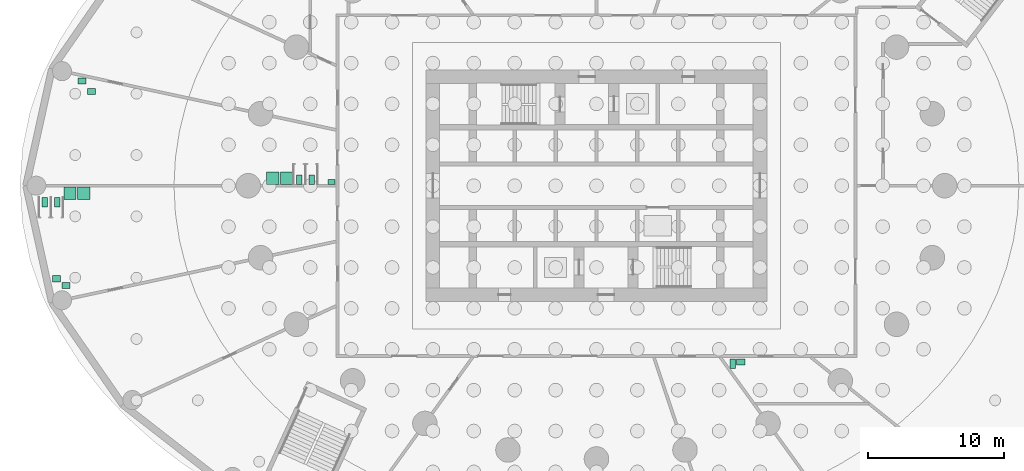
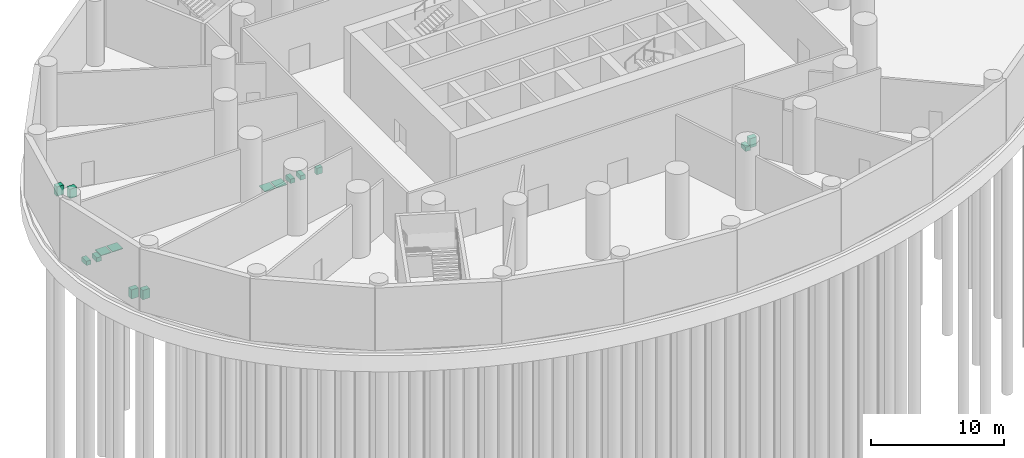
# One storey, part 10 of 12: 15 sanitary terminals.
"""IFC4 building model written with IfcOpenShell, lengths in metres."""

from ifc_helpers import new_model, si_unit, direction, frame, origin, origin_2d, place, context, subcontext, project, spatial, rectangle, extrude, element, save


model = new_model("IFC4")

# Units and contexts
model_context = context("Model", 3, precision=1e-05, world=origin(), true_north=direction((0.0, 1.0)))
body_context = subcontext(model_context, "Body", "Model", "MODEL_VIEW")
ifc_project = project(units=[si_unit("LENGTHUNIT", "METRE"), si_unit("AREAUNIT", "SQUARE_METRE"), si_unit("VOLUMEUNIT", "CUBIC_METRE"), si_unit("PLANEANGLEUNIT", "RADIAN"), si_unit("MASSUNIT", "GRAM", prefix="KILO")], contexts=[model_context])

# Site, building, storey
site_placement = place(None, origin())
site = spatial("IfcSite", under=ifc_project, at=site_placement, CompositionType="ELEMENT")
building_placement = place(site_placement, origin())
building = spatial("IfcBuilding", under=site, at=building_placement, Name="Hankou Lantern Tower", CompositionType="ELEMENT")
storey_placement = place(building_placement, frame((0.0, 0.0, -6.0)))
storey = spatial("IfcBuildingStorey", under=building, at=storey_placement, Name="B1", CompositionType="ELEMENT", Elevation=-6.0)

# Sanitary terminals
for number, where, z_axis, x_axis, name in (
    (1, (-20.89990234375, 0.449951171875, 0.0), (0.0, 0.0, 1.0), (-1.0, 0.0, 0.0), "Male staff WC and showers WC pan 1"),
    (2, (-21.800048828125, 0.449951171875, 0.0), (0.0, 0.0, 1.0), (-1.0, 0.0, 0.0), "Male staff WC and showers WC pan 2"),
):
    element("IfcSanitaryTerminal", number, at=place(storey_placement, frame(where, z_axis=z_axis, x_axis=x_axis)), inside=storey, Name=name, PredefinedType="TOILETPAN", context=body_context, shape_type="SweptSolid", body=[
        extrude(rectangle(XDim=0.39990234375, YDim=0.699951171875, at=origin_2d()), origin(), (0.0, 0.0, 1.0), 0.39990234375),
    ])
sanitary_terminal_1_placement = place(storey_placement, frame((-19.449951171875, 0.27490234375, 0.0), z_axis=(0.0, 0.0, 1.0), x_axis=(-1.0, 0.0, 0.0)))
element("IfcSanitaryTerminal", 3, at=sanitary_terminal_1_placement, inside=storey, Name="Male staff WC and showers urinal 1", PredefinedType="URINAL", context=body_context, shape_type="SweptSolid", body=[
    extrude(rectangle(XDim=0.5, YDim=0.35009765625, at=origin_2d()), origin(), (0.0, 0.0, 1.0), 0.60009765625),
])
for number, where, z_axis, x_axis, name in (
    (4, (-22.75, 0.550048828125, 0.0), (0.0, 0.0, 1.0), (-1.0, 0.0, 0.0), "Male staff WC and showers shower tray 1"),
    (5, (-23.75, 0.550048828125, 0.0), (0.0, 0.0, 1.0), (-1.0, 0.0, 0.0), "Male staff WC and showers shower tray 2"),
):
    element("IfcSanitaryTerminal", number, at=place(storey_placement, frame(where, z_axis=z_axis, x_axis=x_axis)), inside=storey, Name=name, PredefinedType="SHOWER", context=body_context, shape_type="SweptSolid", body=[
        extrude(rectangle(XDim=0.89990234375, YDim=0.89990234375, at=origin_2d()), origin(), (0.0, 0.0, 1.0), 0.06005859375),
    ])
for number, where, z_axis, x_axis, name in (
    (6, (-37.050048828125, 6.924560546875, 0.0), (0.0, 0.0, 1.0), (-1.0, 0.0, 0.0), "Male staff WC and showers wash basin 1"),
    (7, (-37.75, 7.674560546875, 0.0), (0.0, 0.0, 1.0), (-1.0, 0.0, 0.0), "Male staff WC and showers wash basin 2"),
):
    element("IfcSanitaryTerminal", number, at=place(storey_placement, frame(where, z_axis=z_axis, x_axis=x_axis)), inside=storey, Name=name, PredefinedType="WASHHANDBASIN", context=body_context, shape_type="SweptSolid", body=[
        extrude(rectangle(XDim=0.60009765625, YDim=0.449951171875, at=origin_2d()), origin(), (0.0, 0.0, 1.0), 0.85009765625),
    ])
for number, where, z_axis, x_axis, name in (
    (8, (-40.48095703125, -1.199951171875, 0.0), (0.0, 0.0, 1.0), (1.0, 0.0, 0.0), "Female staff WC and showers WC pan 1"),
    (9, (-39.5810546875, -1.199951171875, 0.0), (0.0, 0.0, 1.0), (1.0, 0.0, 0.0), "Female staff WC and showers WC pan 2"),
):
    element("IfcSanitaryTerminal", number, at=place(storey_placement, frame(where, z_axis=z_axis, x_axis=x_axis)), inside=storey, Name=name, PredefinedType="TOILETPAN", context=body_context, shape_type="SweptSolid", body=[
        extrude(rectangle(XDim=0.39990234375, YDim=0.699951171875, at=origin_2d()), origin(), (0.0, 0.0, 1.0), 0.39990234375),
    ])
for number, where, z_axis, x_axis, name in (
    (10, (-38.631103515625, -0.550048828125, 0.0), (0.0, 0.0, 1.0), (1.0, 0.0, 0.0), "Female staff WC and showers shower tray 1"),
    (11, (-37.631103515625, -0.550048828125, 0.0), (0.0, 0.0, 1.0), (1.0, 0.0, 0.0), "Female staff WC and showers shower tray 2"),
):
    element("IfcSanitaryTerminal", number, at=place(storey_placement, frame(where, z_axis=z_axis, x_axis=x_axis)), inside=storey, Name=name, PredefinedType="SHOWER", context=body_context, shape_type="SweptSolid", body=[
        extrude(rectangle(XDim=0.89990234375, YDim=0.89990234375, at=origin_2d()), origin(), (0.0, 0.0, 1.0), 0.06005859375),
    ])
for number, where, z_axis, x_axis, name in (
    (12, (-39.631103515625, -6.824462890625, 0.0), (0.0, 0.0, 1.0), (1.0, 0.0, 0.0), "Female staff WC and showers wash basin 1"),
    (13, (-38.930908203125, -7.324462890625, 0.0), (0.0, 0.0, 1.0), (1.0, 0.0, 0.0), "Female staff WC and showers wash basin 2"),
):
    element("IfcSanitaryTerminal", number, at=place(storey_placement, frame(where, z_axis=z_axis, x_axis=x_axis)), inside=storey, Name=name, PredefinedType="WASHHANDBASIN", context=body_context, shape_type="SweptSolid", body=[
        extrude(rectangle(XDim=0.60009765625, YDim=0.449951171875, at=origin_2d()), origin(), (0.0, 0.0, 1.0), 0.85009765625),
    ])
sanitary_terminal_2_placement = place(storey_placement, frame((9.993408203125, -13.050048828125, 0.0), z_axis=(0.0, 0.0, 1.0), x_axis=(1.0, 0.0, 0.0)))
element("IfcSanitaryTerminal", 14, at=sanitary_terminal_2_placement, inside=storey, Name="Accessible staff WC WC pan 1", PredefinedType="TOILETPAN", context=body_context, shape_type="SweptSolid", body=[
    extrude(rectangle(XDim=0.39990234375, YDim=0.699951171875, at=origin_2d()), origin(), (0.0, 0.0, 1.0), 0.39990234375),
])
sanitary_terminal_3_placement = place(storey_placement, frame((10.59326171875, -12.925048828125, 0.0), z_axis=(0.0, 0.0, 1.0), x_axis=(1.0, 0.0, 0.0)))
element("IfcSanitaryTerminal", 15, at=sanitary_terminal_3_placement, inside=storey, Name="Accessible staff WC wash basin 1", PredefinedType="WASHHANDBASIN", context=body_context, shape_type="SweptSolid", body=[
    extrude(rectangle(XDim=0.60009765625, YDim=0.449951171875, at=origin_2d()), origin(), (0.0, 0.0, 1.0), 0.85009765625),
])

save(model, "model.ifc")
